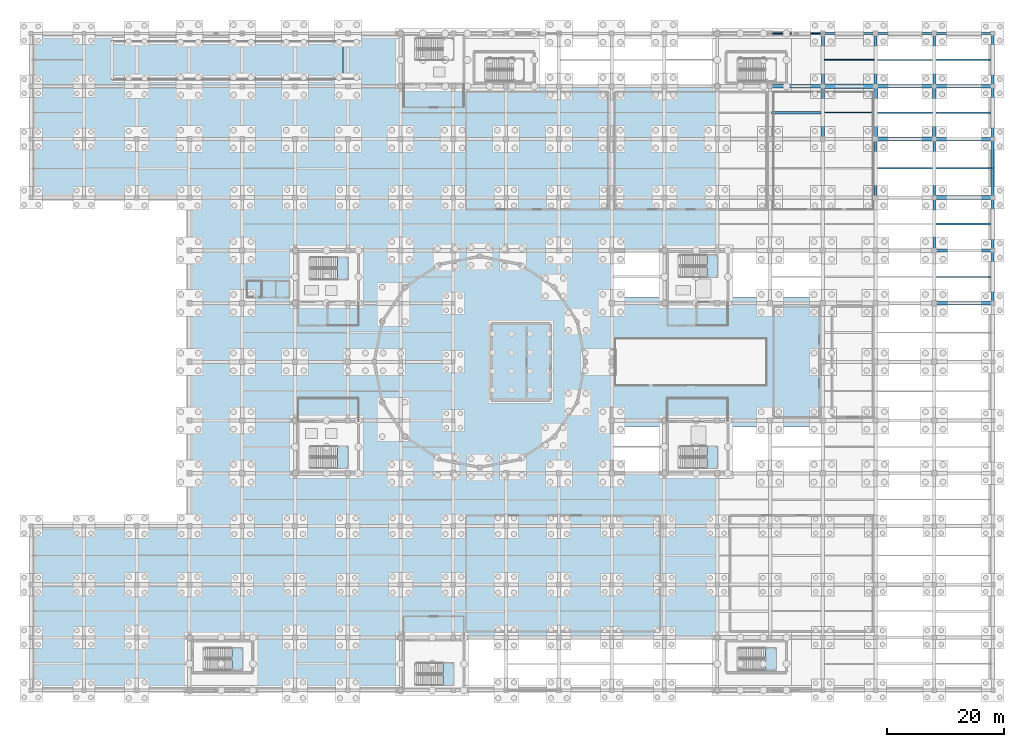
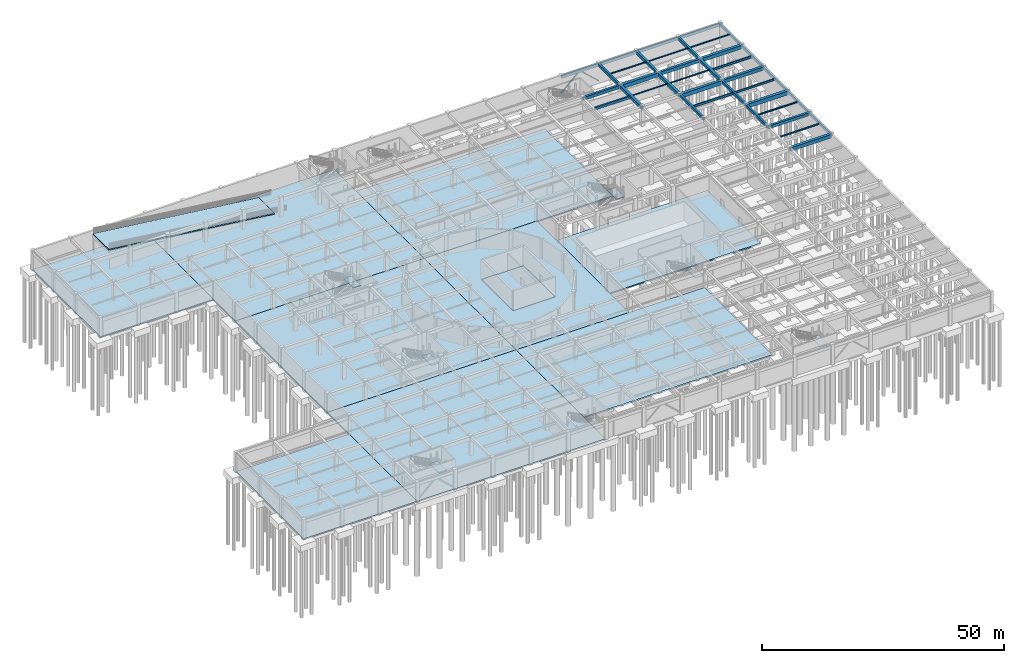
# One storey, part 34 of 62: 38 beams, 18 slabs, 2 members, 7 elements without a shape of their own.
"""IFC4 building model written with IfcOpenShell, lengths in metres."""

from ifc_helpers import new_model, si_unit, direction, frame, origin, origin_2d, place, context, subcontext, project, spatial, polyline, rectangle, hollow_rectangle, i_section, outline, extrude, material, layer, layer_set, material_profile, profile_set, type_object, element, aggregate, save


model = new_model("IFC4")

# Units and contexts
model_context = context("Model", 3, precision=1e-05, world=origin(), true_north=direction((0.0, 1.0)))
body_context = subcontext(model_context, "Body", "Model", "MODEL_VIEW")
ifc_project = project(units=[si_unit("LENGTHUNIT", "METRE"), si_unit("AREAUNIT", "SQUARE_METRE"), si_unit("VOLUMEUNIT", "CUBIC_METRE"), si_unit("PLANEANGLEUNIT", "RADIAN"), si_unit("MASSUNIT", "GRAM", prefix="KILO")], contexts=[model_context])

# Site, building, storey
site_placement = place(None, origin())
site = spatial("IfcSite", under=ifc_project, at=site_placement, CompositionType="ELEMENT")
building_placement = place(site_placement, origin())
building = spatial("IfcBuilding", under=site, at=building_placement, Name="Miravela Opera House", CompositionType="ELEMENT")
storey_placement = place(building_placement, frame((0.0, 0.0, -5.10009765625)))
storey = spatial("IfcBuildingStorey", under=building, at=storey_placement, Name="B01", CompositionType="ELEMENT", Elevation=-5.10009765625)

# Beams
ifc_material_1 = material(Name="Concrete C35/45", Category="concrete")
ifc_material_profile_1 = material_profile(ifc_material_1, rectangle(XDim=0.39990234375, YDim=0.60009765625, at=origin_2d()), Name="RC-BM-400X600")
ifc_profile_set_1 = profile_set([ifc_material_profile_1])
beam_type_1 = type_object("IfcBeamType", Name="STR-BM-RC400X600", PredefinedType="JOIST", material=ifc_profile_set_1)
beam_1_placement = place(storey_placement, frame((126.235107421875, 98.5, 4.530029296875), z_axis=(1.0, 0.0, 0.0), x_axis=(0.0, 1.0, 0.0)))
element("IfcBeam", 1, at=beam_1_placement, inside=storey, type_object=beam_type_1, Name="Secondary Floor Joist B01 15-16/K-L", PredefinedType="JOIST", context=body_context, shape_type="SweptSolid", body=[
    extrude(rectangle(XDim=0.39990234375, YDim=0.60009765625, at=origin_2d()), origin(), (0.0, 0.0, 1.0), 8.47998046875),
])
ifc_material_profile_2 = material_profile(ifc_material_1, rectangle(XDim=0.449951171875, YDim=0.64990234375, at=origin_2d()), Name="RC-BM-450X650")
ifc_profile_set_2 = profile_set([ifc_material_profile_2])
beam_type_2 = type_object("IfcBeamType", Name="STR-BM-RC450X650", PredefinedType="BEAM", material=ifc_profile_set_2)
for number, where, z_axis, x_axis, name in (
    (2, (144.0, 84.080078125, 4.4951171875), (0.0, 1.0, 0.0), (-1.0, 0.0, 0.0), "Floor Girder B01 17/J-K"),
    (3, (154.0, 84.080078125, 4.4951171875), (0.0, 1.0, 0.0), (-1.0, 0.0, 0.0), "Floor Girder B01 18/J-K"),
):
    element("IfcBeam", number, at=place(storey_placement, frame(where, z_axis=z_axis, x_axis=x_axis)), inside=storey, type_object=beam_type_2, Name=name, PredefinedType="BEAM", context=body_context, shape_type="SweptSolid", body=[
        extrude(rectangle(XDim=0.449951171875, YDim=0.64990234375, at=origin_2d()), origin(), (0.0, 0.0, 1.0), 9.83984375),
    ])
ifc_material_profile_3 = material_profile(ifc_material_1, rectangle(XDim=0.47998046875, YDim=0.679931640625, at=origin_2d()), Name="RC-BM-480X680")
ifc_profile_set_3 = profile_set([ifc_material_profile_3])
beam_type_3 = type_object("IfcBeamType", Name="STR-BM-RC480X680", PredefinedType="BEAM", material=ifc_profile_set_3)
beam_2_placement = place(storey_placement, frame((154.0, 75.080078125, 4.47998046875), z_axis=(0.0, 1.0, 0.0), x_axis=(-1.0, 0.0, 0.0)))
element("IfcBeam", 4, at=beam_2_placement, inside=storey, type_object=beam_type_3, Name="Floor Girder B01 18/I-J", PredefinedType="BEAM", context=body_context, shape_type="SweptSolid", body=[
    extrude(rectangle(XDim=0.47998046875, YDim=0.679931640625, at=origin_2d()), origin(), (0.0, 0.0, 1.0), 8.83984375),
])
ifc_material_profile_4 = material_profile(ifc_material_1, rectangle(XDim=0.5, YDim=0.699951171875, at=origin_2d()), Name="RC-BM-500X700")
ifc_profile_set_4 = profile_set([ifc_material_profile_4])
beam_type_4 = type_object("IfcBeamType", Name="STR-BM-RC500X700", PredefinedType="BEAM", material=ifc_profile_set_4)
for number, where, z_axis, x_axis, name in (
    (5, (135.0, 103.080078125, 4.47021484375), (0.0, 1.0, 0.0), (-1.0, 0.0, 0.0), "Floor Girder B01 16/L-M"),
    (6, (144.0, 103.080078125, 4.47021484375), (0.0, 1.0, 0.0), (-1.0, 0.0, 0.0), "Floor Girder B01 17/L-M"),
    (7, (154.0, 103.080078125, 4.47021484375), (0.0, 1.0, 0.0), (-1.0, 0.0, 0.0), "Floor Girder B01 18/L-M"),
):
    element("IfcBeam", number, at=place(storey_placement, frame(where, z_axis=z_axis, x_axis=x_axis)), inside=storey, type_object=beam_type_4, Name=name, PredefinedType="BEAM", context=body_context, shape_type="SweptSolid", body=[
        extrude(rectangle(XDim=0.5, YDim=0.699951171875, at=origin_2d()), origin(), (0.0, 0.0, 1.0), 8.83984375),
    ])
ifc_material_profile_5 = material_profile(ifc_material_1, rectangle(XDim=0.550048828125, YDim=0.75, at=origin_2d()), Name="RC-BM-550X750")
ifc_profile_set_5 = profile_set([ifc_material_profile_5])
beam_type_5 = type_object("IfcBeamType", Name="STR-BM-RC550X750", PredefinedType="BEAM", material=ifc_profile_set_5)
beam_3_placement = place(storey_placement, frame((126.080078125, 103.0, 4.445068359375), z_axis=(1.0, 0.0, 0.0), x_axis=(0.0, 1.0, 0.0)))
element("IfcBeam", 8, at=beam_3_placement, inside=storey, type_object=beam_type_5, Name="Floor Girder B01 15-16/L", PredefinedType="BEAM", context=body_context, shape_type="SweptSolid", body=[
    extrude(rectangle(XDim=0.550048828125, YDim=0.75, at=origin_2d()), origin(), (0.0, 0.0, 1.0), 8.83984375),
])
beam_4_placement = place(storey_placement, frame((154.080078125, 75.0, 4.405029296875), z_axis=(1.0, 0.0, 0.0), x_axis=(0.0, 1.0, 0.0)))
element("IfcBeam", 9, at=beam_4_placement, inside=storey, type_object=beam_type_5, Name="Floor Girder B01 18-19/I", PredefinedType="BEAM", context=body_context, shape_type="SweptSolid", body=[
    extrude(rectangle(XDim=0.550048828125, YDim=0.75, at=origin_2d()), origin(), (0.0, 0.0, 1.0), 9.83984375),
])
ifc_material_2 = material(Name="Concrete C40/50", Category="concrete")
ifc_material_profile_6 = material_profile(ifc_material_2, rectangle(XDim=0.60009765625, YDim=0.85009765625, at=origin_2d()), Name="RC-BM-600X850")
ifc_profile_set_6 = profile_set([ifc_material_profile_6])
beam_type_6 = type_object("IfcBeamType", Name="STR-BM-RC600X850", PredefinedType="BEAM", material=ifc_profile_set_6)
for number, where, z_axis, x_axis, name in (
    (10, (144.080078125, 103.0, 4.39501953125), (1.0, 0.0, 0.0), (0.0, 1.0, 0.0), "Floor Girder B01 17-18/L"),
    (11, (154.080078125, 94.0, 4.39501953125), (1.0, 0.0, 0.0), (0.0, 1.0, 0.0), "Floor Girder B01 18-19/K"),
):
    element("IfcBeam", number, at=place(storey_placement, frame(where, z_axis=z_axis, x_axis=x_axis)), inside=storey, type_object=beam_type_6, Name=name, PredefinedType="BEAM", context=body_context, shape_type="SweptSolid", body=[
        extrude(rectangle(XDim=0.60009765625, YDim=0.85009765625, at=origin_2d()), origin(), (0.0, 0.0, 1.0), 9.83984375),
    ])
for number, where, z_axis, x_axis, name in (
    (12, (135.0, 94.080078125, 4.405029296875), (0.0, 1.0, 0.0), (-1.0, 0.0, 0.0), "Floor Girder B01 16/K-L"),
    (13, (144.0, 94.080078125, 4.39501953125), (0.0, 1.0, 0.0), (-1.0, 0.0, 0.0), "Floor Girder B01 17/K-L"),
    (14, (154.0, 94.080078125, 4.39501953125), (0.0, 1.0, 0.0), (-1.0, 0.0, 0.0), "Floor Girder B01 18/K-L"),
):
    element("IfcBeam", number, at=place(storey_placement, frame(where, z_axis=z_axis, x_axis=x_axis)), inside=storey, type_object=beam_type_6, Name=name, PredefinedType="BEAM", context=body_context, shape_type="SweptSolid", body=[
        extrude(rectangle(XDim=0.60009765625, YDim=0.85009765625, at=origin_2d()), origin(), (0.0, 0.0, 1.0), 8.83984375),
    ])
ifc_material_profile_7 = material_profile(ifc_material_2, rectangle(XDim=0.64990234375, YDim=0.89990234375, at=origin_2d()), Name="RC-BM-650X900")
ifc_profile_set_7 = profile_set([ifc_material_profile_7])
beam_type_7 = type_object("IfcBeamType", Name="STR-BM-RC650X900", PredefinedType="BEAM", material=ifc_profile_set_7)
for number, where, z_axis, x_axis, name in (
    (15, (154.080078125, 66.0, 4.330078125), (1.0, 0.0, 0.0), (0.0, 1.0, 0.0), "Floor Girder B01 18-19/H"),
    (16, (154.080078125, 103.0, 4.3701171875), (1.0, 0.0, 0.0), (0.0, 1.0, 0.0), "Floor Girder B01 18-19/L"),
):
    element("IfcBeam", number, at=place(storey_placement, frame(where, z_axis=z_axis, x_axis=x_axis)), inside=storey, type_object=beam_type_7, Name=name, PredefinedType="BEAM", context=body_context, shape_type="SweptSolid", body=[
        extrude(rectangle(XDim=0.64990234375, YDim=0.89990234375, at=origin_2d()), origin(), (0.0, 0.0, 1.0), 9.83984375),
    ])
ifc_material_profile_8 = material_profile(ifc_material_2, rectangle(XDim=0.699951171875, YDim=1.0, at=origin_2d()), Name="RC-BM-700X1000")
ifc_profile_set_8 = profile_set([ifc_material_profile_8])
beam_type_8 = type_object("IfcBeamType", Name="STR-BM-RC700X1000", PredefinedType="BEAM", material=ifc_profile_set_8)
beam_5_placement = place(storey_placement, frame((135.080078125, 103.0, 4.320068359375), z_axis=(1.0, 0.0, 0.0), x_axis=(0.0, 1.0, 0.0)))
element("IfcBeam", 17, at=beam_5_placement, inside=storey, type_object=beam_type_8, Name="Floor Girder B01 16-17/L", PredefinedType="BEAM", context=body_context, shape_type="SweptSolid", body=[
    extrude(rectangle(XDim=0.699951171875, YDim=1.0, at=origin_2d()), origin(), (0.0, 0.0, 1.0), 8.83984375),
])
for number, where, z_axis, x_axis, name in (
    (18, (144.080078125, 94.0, 4.320068359375), (1.0, 0.0, 0.0), (0.0, 1.0, 0.0), "Floor Girder B01 17-18/K"),
    (19, (154.080078125, 84.0, 4.320068359375), (1.0, 0.0, 0.0), (0.0, 1.0, 0.0), "Floor Girder B01 18-19/J"),
):
    element("IfcBeam", number, at=place(storey_placement, frame(where, z_axis=z_axis, x_axis=x_axis)), inside=storey, type_object=beam_type_8, Name=name, PredefinedType="BEAM", context=body_context, shape_type="SweptSolid", body=[
        extrude(rectangle(XDim=0.699951171875, YDim=1.0, at=origin_2d()), origin(), (0.0, 0.0, 1.0), 9.83984375),
    ])
ifc_material_3 = material(Name="Structural steel ASTM A992 Gr. 50", Category="steel")
ifc_material_profile_9 = material_profile(ifc_material_3, i_section(OverallWidth=0.1650390625, OverallDepth=0.200927734375, WebThickness=0.006103515625, FlangeThickness=0.01025390625, FilletRadius=0.010009765625, at=origin_2d()), Name="W200X36")
ifc_profile_set_9 = profile_set([ifc_material_profile_9])
beam_type_9 = type_object("IfcBeamType", Name="STR-BM-W200X36", PredefinedType="LINTEL", material=ifc_profile_set_9)
beam_6_placement = place(storey_placement, frame((135.235107421875, 107.5, 4.719482421875), z_axis=(1.0, 0.0, 0.0), x_axis=(0.0, 1.0, 0.0)))
element("IfcBeam", 20, at=beam_6_placement, inside=storey, type_object=beam_type_9, Name="Secondary Floor Joist B01 16-17/L-M", PredefinedType="LINTEL", context=body_context, shape_type="SweptSolid", body=[
    extrude(i_section(OverallWidth=0.1650390625, OverallDepth=0.200927734375, WebThickness=0.006103515625, FlangeThickness=0.01025390625, FilletRadius=0.010009765625, at=origin_2d()), origin(), (0.0, 0.0, 1.0), 8.52978515625),
])
ifc_material_profile_10 = material_profile(ifc_material_3, i_section(OverallWidth=0.201904296875, OverallDepth=0.2470703125, WebThickness=0.00732421875, FlangeThickness=0.010986328125, FilletRadius=0.011962890625, at=origin_2d()), Name="W250X49")
ifc_profile_set_10 = profile_set([ifc_material_profile_10])
beam_type_10 = type_object("IfcBeamType", Name="STR-BM-W250X49", PredefinedType="LINTEL", material=ifc_profile_set_10)
beam_7_placement = place(storey_placement, frame((135.284912109375, 98.5, 4.70654296875), z_axis=(1.0, 0.0, 0.0), x_axis=(0.0, 1.0, 0.0)))
element("IfcBeam", 21, at=beam_7_placement, inside=storey, type_object=beam_type_10, Name="Secondary Floor Joist B01 16-17/K-L", PredefinedType="LINTEL", context=body_context, shape_type="SweptSolid", body=[
    extrude(i_section(OverallWidth=0.201904296875, OverallDepth=0.2470703125, WebThickness=0.00732421875, FlangeThickness=0.010986328125, FilletRadius=0.011962890625, at=origin_2d()), origin(), (0.0, 0.0, 1.0), 8.43017578125),
])
beam_8_placement = place(storey_placement, frame((144.235107421875, 107.5, 4.696533203125), z_axis=(1.0, 0.0, 0.0), x_axis=(0.0, 1.0, 0.0)))
element("IfcBeam", 22, at=beam_8_placement, inside=storey, type_object=beam_type_10, Name="Secondary Floor Joist B01 17-18/L-M", PredefinedType="LINTEL", context=body_context, shape_type="SweptSolid", body=[
    extrude(i_section(OverallWidth=0.201904296875, OverallDepth=0.2470703125, WebThickness=0.00732421875, FlangeThickness=0.010986328125, FilletRadius=0.011962890625, at=origin_2d()), origin(), (0.0, 0.0, 1.0), 9.52978515625),
])
ifc_material_profile_11 = material_profile(ifc_material_3, i_section(OverallWidth=0.25390625, OverallDepth=0.2529296875, WebThickness=0.008544921875, FlangeThickness=0.01416015625, FilletRadius=0.011962890625, at=origin_2d()), Name="W250X73")
ifc_profile_set_11 = profile_set([ifc_material_profile_11])
beam_type_11 = type_object("IfcBeamType", Name="STR-BM-W250X73", PredefinedType="JOIST", material=ifc_profile_set_11)
beam_9_placement = place(storey_placement, frame((144.284912109375, 98.5, 4.693603515625), z_axis=(1.0, 0.0, 0.0), x_axis=(0.0, 1.0, 0.0)))
element("IfcBeam", 23, at=beam_9_placement, inside=storey, type_object=beam_type_11, Name="Secondary Floor Joist B01 17-18/K-L", PredefinedType="JOIST", context=body_context, shape_type="SweptSolid", body=[
    extrude(i_section(OverallWidth=0.25390625, OverallDepth=0.2529296875, WebThickness=0.008544921875, FlangeThickness=0.01416015625, FilletRadius=0.011962890625, at=origin_2d()), origin(), (0.0, 0.0, 1.0), 9.43017578125),
])
beam_10_placement = place(storey_placement, frame((154.235107421875, 107.5, 4.693603515625), z_axis=(1.0, 0.0, 0.0), x_axis=(0.0, 1.0, 0.0)))
element("IfcBeam", 24, at=beam_10_placement, inside=storey, type_object=beam_type_11, Name="Secondary Floor Joist B01 18-19/L-M", PredefinedType="JOIST", context=body_context, shape_type="SweptSolid", body=[
    extrude(i_section(OverallWidth=0.25390625, OverallDepth=0.2529296875, WebThickness=0.008544921875, FlangeThickness=0.01416015625, FilletRadius=0.011962890625, at=origin_2d()), origin(), (0.0, 0.0, 1.0), 9.579833984375),
])
ifc_material_profile_12 = material_profile(ifc_material_3, i_section(OverallWidth=0.304931640625, OverallDepth=0.30810546875, WebThickness=0.010009765625, FlangeThickness=0.015380859375, FilletRadius=0.013916015625, at=origin_2d()), Name="W310X97")
ifc_profile_set_12 = profile_set([ifc_material_profile_12])
beam_type_12 = type_object("IfcBeamType", Name="STR-BM-W310X97", PredefinedType="JOIST", material=ifc_profile_set_12)
beam_11_placement = place(storey_placement, frame((154.22509765625, 79.5, 4.666015625), z_axis=(1.0, 0.0, 0.0), x_axis=(0.0, 1.0, 0.0)))
element("IfcBeam", 25, at=beam_11_placement, inside=storey, type_object=beam_type_12, Name="Secondary Floor Joist B01 18-19/I-J", PredefinedType="JOIST", context=body_context, shape_type="SweptSolid", body=[
    extrude(i_section(OverallWidth=0.304931640625, OverallDepth=0.30810546875, WebThickness=0.010009765625, FlangeThickness=0.015380859375, FilletRadius=0.013916015625, at=origin_2d()), origin(), (0.0, 0.0, 1.0), 9.58984375),
])
ifc_material_profile_13 = material_profile(ifc_material_3, i_section(OverallWidth=0.177978515625, OverallDepth=0.406982421875, WebThickness=0.0078125, FlangeThickness=0.0126953125, FilletRadius=0.012939453125, at=origin_2d()), Name="W410X60")
ifc_profile_set_13 = profile_set([ifc_material_profile_13])
beam_type_13 = type_object("IfcBeamType", Name="STR-BM-W410X60", PredefinedType="JOIST", material=ifc_profile_set_13)
beam_12_placement = place(storey_placement, frame((154.235107421875, 70.5, 4.57666015625), z_axis=(1.0, 0.0, 0.0), x_axis=(0.0, 1.0, 0.0)))
element("IfcBeam", 26, at=beam_12_placement, inside=storey, type_object=beam_type_13, Name="Secondary Floor Joist B01 18-19/H-I", PredefinedType="JOIST", context=body_context, shape_type="SweptSolid", body=[
    extrude(i_section(OverallWidth=0.177978515625, OverallDepth=0.406982421875, WebThickness=0.0078125, FlangeThickness=0.0126953125, FilletRadius=0.012939453125, at=origin_2d()), origin(), (0.0, 0.0, 1.0), 9.579833984375),
])
ifc_material_profile_14 = material_profile(ifc_material_3, i_section(OverallWidth=0.208984375, OverallDepth=0.532958984375, WebThickness=0.01025390625, FlangeThickness=0.015625, FilletRadius=0.014892578125, at=origin_2d()), Name="W530X92")
ifc_profile_set_14 = profile_set([ifc_material_profile_14])
beam_type_14 = type_object("IfcBeamType", Name="STR-BM-W530X92", PredefinedType="BEAM", material=ifc_profile_set_14)
beam_13_placement = place(storey_placement, frame((154.2099609375, 89.0, 4.5537109375), z_axis=(1.0, 0.0, 0.0), x_axis=(0.0, 1.0, 0.0)))
element("IfcBeam", 27, at=beam_13_placement, inside=storey, type_object=beam_type_14, Name="Secondary Floor Joist B01 18-19/J-K", PredefinedType="BEAM", context=body_context, shape_type="SweptSolid", body=[
    extrude(i_section(OverallWidth=0.208984375, OverallDepth=0.532958984375, WebThickness=0.01025390625, FlangeThickness=0.015625, FilletRadius=0.014892578125, at=origin_2d()), origin(), (0.0, 0.0, 1.0), 9.60498046875),
])
ifc_material_profile_15 = material_profile(ifc_material_3, i_section(OverallWidth=0.22802734375, OverallDepth=0.60791015625, WebThickness=0.01123046875, FlangeThickness=0.017333984375, FilletRadius=0.01611328125, at=origin_2d()), Name="W610X113")
ifc_profile_set_15 = profile_set([ifc_material_profile_15])
beam_type_15 = type_object("IfcBeamType", Name="STR-BM-W610X113", PredefinedType="BEAM", material=ifc_profile_set_15)
beam_14_placement = place(storey_placement, frame((144.2099609375, 89.0, 4.51611328125), z_axis=(1.0, 0.0, 0.0), x_axis=(0.0, 1.0, 0.0)))
element("IfcBeam", 28, at=beam_14_placement, inside=storey, type_object=beam_type_15, Name="Secondary Floor Joist B01 17-18/J-K", PredefinedType="BEAM", context=body_context, shape_type="SweptSolid", body=[
    extrude(i_section(OverallWidth=0.22802734375, OverallDepth=0.60791015625, WebThickness=0.01123046875, FlangeThickness=0.017333984375, FilletRadius=0.01611328125, at=origin_2d()), origin(), (0.0, 0.0, 1.0), 9.580078125),
])
beam_15_placement = place(storey_placement, frame((154.284912109375, 98.5, 4.51611328125), z_axis=(1.0, 0.0, 0.0), x_axis=(0.0, 1.0, 0.0)))
element("IfcBeam", 29, at=beam_15_placement, inside=storey, type_object=beam_type_15, Name="Secondary Floor Joist B01 18-19/K-L", PredefinedType="BEAM", context=body_context, shape_type="SweptSolid", body=[
    extrude(i_section(OverallWidth=0.22802734375, OverallDepth=0.60791015625, WebThickness=0.01123046875, FlangeThickness=0.017333984375, FilletRadius=0.01611328125, at=origin_2d()), origin(), (0.0, 0.0, 1.0), 9.530029296875),
])

# Members
ifc_material_4 = material(Name="Hollow structural steel ASTM A500 Gr. C", Category="steel")
ifc_material_profile_16 = material_profile(ifc_material_4, hollow_rectangle(XDim=0.25, YDim=0.25, WallThickness=0.011962890625, InnerFilletRadius=0.011962890625, OuterFilletRadius=0.02392578125, at=origin_2d()), Name="HSS250X250X12")
ifc_profile_set_16 = profile_set([ifc_material_profile_16])
member_type = type_object("IfcMemberType", Name="STR-MEM-FRAME-BR1", PredefinedType="BRACE", material=ifc_profile_set_16)
for number, where, z_axis, x_axis, name in (
    (30, (126.0, 112.0, 0.300048828125), (0.736735892782, 0.0, 0.676180615137), (0.0, 1.0, 0.0), "Concentric Braced Frame BF-N3 B01 Left Brace"),
    (31, (135.0, 112.0, 0.300048828125), (-0.736735892782, 0.0, 0.676180615137), (0.0, -1.0, 0.0), "Concentric Braced Frame BF-N3 B01 Right Brace"),
):
    element("IfcMember", number, at=place(storey_placement, frame(where, z_axis=z_axis, x_axis=x_axis)), inside=storey, type_object=member_type, Name=name, PredefinedType="BRACE", context=body_context, shape_type="SweptSolid", body=[
        extrude(hollow_rectangle(XDim=0.25, YDim=0.25, WallThickness=0.011962890625, InnerFilletRadius=0.011962890625, OuterFilletRadius=0.02392578125, at=origin_2d()), origin(), (0.0, 0.0, 1.0), 6.10791015625),
    ])

# Beams
ifc_material_profile_17 = material_profile(ifc_material_1, rectangle(XDim=0.39990234375, YDim=0.75, at=origin_2d()), Name="RC-SPN-400X750")
ifc_profile_set_17 = profile_set([ifc_material_profile_17])
beam_type_16 = type_object("IfcBeamType", Name="STR-SPN-RC400X750", PredefinedType="SPANDREL", material=ifc_profile_set_17)
for number, where, z_axis, x_axis, name in (
    (32, (126.080078125, 112.0, 4.445068359375), (1.0, 0.0, 0.0), (0.0, 1.0, 0.0), "Floor Girder B01 15-16/M"),
    (33, (135.080078125, 112.0, 4.445068359375), (1.0, 0.0, 0.0), (0.0, 1.0, 0.0), "Floor Girder B01 16-17/M"),
):
    element("IfcBeam", number, at=place(storey_placement, frame(where, z_axis=z_axis, x_axis=x_axis)), inside=storey, type_object=beam_type_16, Name=name, PredefinedType="SPANDREL", context=body_context, shape_type="SweptSolid", body=[
        extrude(rectangle(XDim=0.39990234375, YDim=0.75, at=origin_2d()), origin(), (0.0, 0.0, 1.0), 8.83984375),
    ])
for number, where, z_axis, x_axis, name in (
    (34, (144.080078125, 112.0, 4.445068359375), (1.0, 0.0, 0.0), (0.0, 1.0, 0.0), "Floor Girder B01 17-18/M"),
    (35, (154.080078125, 112.0, 4.445068359375), (1.0, 0.0, 0.0), (0.0, 1.0, 0.0), "Floor Girder B01 18-19/M"),
):
    element("IfcBeam", number, at=place(storey_placement, frame(where, z_axis=z_axis, x_axis=x_axis)), inside=storey, type_object=beam_type_16, Name=name, PredefinedType="SPANDREL", context=body_context, shape_type="SweptSolid", body=[
        extrude(rectangle(XDim=0.39990234375, YDim=0.75, at=origin_2d()), origin(), (0.0, 0.0, 1.0), 9.83984375),
    ])
for number, where, z_axis, x_axis, name in (
    (36, (164.0, 66.080078125, 4.405029296875), (0.0, 1.0, 0.0), (-1.0, 0.0, 0.0), "Floor Girder B01 19/H-I"),
    (37, (164.0, 75.080078125, 4.445068359375), (0.0, 1.0, 0.0), (-1.0, 0.0, 0.0), "Floor Girder B01 19/I-J"),
):
    element("IfcBeam", number, at=place(storey_placement, frame(where, z_axis=z_axis, x_axis=x_axis)), inside=storey, type_object=beam_type_16, Name=name, PredefinedType="SPANDREL", context=body_context, shape_type="SweptSolid", body=[
        extrude(rectangle(XDim=0.39990234375, YDim=0.75, at=origin_2d()), origin(), (0.0, 0.0, 1.0), 8.83984375),
    ])
beam_16_placement = place(storey_placement, frame((164.0, 84.080078125, 4.445068359375), z_axis=(0.0, 1.0, 0.0), x_axis=(-1.0, 0.0, 0.0)))
element("IfcBeam", 38, at=beam_16_placement, inside=storey, type_object=beam_type_16, Name="Floor Girder B01 19/J-K", PredefinedType="SPANDREL", context=body_context, shape_type="SweptSolid", body=[
    extrude(rectangle(XDim=0.39990234375, YDim=0.75, at=origin_2d()), origin(), (0.0, 0.0, 1.0), 9.83984375),
])
for number, where, z_axis, x_axis, name in (
    (39, (164.0, 94.080078125, 4.445068359375), (0.0, 1.0, 0.0), (-1.0, 0.0, 0.0), "Floor Girder B01 19/K-L"),
    (40, (164.0, 103.080078125, 4.445068359375), (0.0, 1.0, 0.0), (-1.0, 0.0, 0.0), "Floor Girder B01 19/L-M"),
):
    element("IfcBeam", number, at=place(storey_placement, frame(where, z_axis=z_axis, x_axis=x_axis)), inside=storey, type_object=beam_type_16, Name=name, PredefinedType="SPANDREL", context=body_context, shape_type="SweptSolid", body=[
        extrude(rectangle(XDim=0.39990234375, YDim=0.75, at=origin_2d()), origin(), (0.0, 0.0, 1.0), 8.83984375),
    ])

# Stair, slab
stair_type_1 = type_object("IfcStairType", Name="ARC-STAIR-CORE-1680", PredefinedType="HALF_TURN_STAIR", material=ifc_material_1)
stair_1_placement = place(storey_placement, origin())
stair_1 = element("IfcStair", 41, at=stair_1_placement, inside=storey, type_object=stair_type_1, Name="B01 Core K1 North Foyer and Firefighting Core Exit Stair ST-01", PredefinedType="HALF_TURN_STAIR")
ifc_layer_1 = layer(ifc_material_1, 0.199951171875)
ifc_layer_set_1 = layer_set([ifc_layer_1])
slab_type_1 = type_object("IfcSlabType", Name="ARC-LANDING-200", PredefinedType="LANDING", material=ifc_layer_set_1)
slab_1_placement = place(storey_placement, frame((0.0, 0.0, 2.35009765625)))
slab_1 = element("IfcSlab", 42, at=slab_1_placement, type_object=slab_type_1, Name="ST-01 landing 1", PredefinedType="LANDING", context=body_context, shape_type="SweptSolid", body=[
    extrude(outline(polyline([(52.219970703125, 70.0), (54.10009765625, 70.0), (54.10009765625, 73.8798828125), (52.219970703125, 73.8798828125), (52.219970703125, 70.0)])), origin(), (0.0, 0.0, 1.0), 0.199951171875),
])
aggregate(stair_1, [slab_1])

stair_2_placement = place(storey_placement, origin())
stair_2 = element("IfcStair", 43, at=stair_2_placement, inside=storey, type_object=stair_type_1, Name="B01 Core K2 South Foyer Core Exit Stair ST-02", PredefinedType="HALF_TURN_STAIR")
slab_2_placement = place(storey_placement, frame((0.0, 0.0, 2.35009765625)))
slab_2 = element("IfcSlab", 44, at=slab_2_placement, type_object=slab_type_1, Name="ST-02 landing 1", PredefinedType="LANDING", context=body_context, shape_type="SweptSolid", body=[
    extrude(outline(polyline([(52.219970703125, 37.800048828125), (54.10009765625, 37.800048828125), (54.10009765625, 41.679931640625), (52.219970703125, 41.679931640625), (52.219970703125, 37.800048828125)])), origin(), (0.0, 0.0, 1.0), 0.199951171875),
])
aggregate(stair_2, [slab_2])

stair_3_placement = place(storey_placement, origin())
stair_3 = element("IfcStair", 45, at=stair_3_placement, inside=storey, type_object=stair_type_1, Name="B01 Core K3 North Stage and Firefighting Core Exit Stair ST-03", PredefinedType="HALF_TURN_STAIR")
slab_3_placement = place(storey_placement, frame((0.0, 0.0, 2.35009765625)))
slab_3 = element("IfcSlab", 46, at=slab_3_placement, type_object=slab_type_1, Name="ST-03 landing 1", PredefinedType="LANDING", context=body_context, shape_type="SweptSolid", body=[
    extrude(outline(polyline([(115.219970703125, 70.39990234375), (117.10009765625, 70.39990234375), (117.10009765625, 74.280029296875), (115.219970703125, 74.280029296875), (115.219970703125, 70.39990234375)])), origin(), (0.0, 0.0, 1.0), 0.199951171875),
])
aggregate(stair_3, [slab_3])

stair_4_placement = place(storey_placement, origin())
stair_4 = element("IfcStair", 47, at=stair_4_placement, inside=storey, type_object=stair_type_1, Name="B01 Core K4 South Stage Core Exit Stair ST-04", PredefinedType="HALF_TURN_STAIR")
slab_4_placement = place(storey_placement, frame((0.0, 0.0, 2.35009765625)))
slab_4 = element("IfcSlab", 48, at=slab_4_placement, type_object=slab_type_1, Name="ST-04 landing 1", PredefinedType="LANDING", context=body_context, shape_type="SweptSolid", body=[
    extrude(outline(polyline([(115.219970703125, 37.800048828125), (117.10009765625, 37.800048828125), (117.10009765625, 41.679931640625), (115.219970703125, 41.679931640625), (115.219970703125, 37.800048828125)])), origin(), (0.0, 0.0, 1.0), 0.199951171875),
])
aggregate(stair_4, [slab_4])

stair_5_placement = place(storey_placement, origin())
stair_5 = element("IfcStair", 49, at=stair_5_placement, inside=storey, type_object=stair_type_1, Name="B01 Core K6 South Artist Core Exit Stair ST-06", PredefinedType="HALF_TURN_STAIR")
slab_5_placement = place(storey_placement, frame((0.0, 0.0, 2.35009765625)))
slab_5 = element("IfcSlab", 50, at=slab_5_placement, type_object=slab_type_1, Name="ST-06 landing 1", PredefinedType="LANDING", context=body_context, shape_type="SweptSolid", body=[
    extrude(outline(polyline([(70.219970703125, 0.800048828125), (72.10009765625, 0.800048828125), (72.10009765625, 4.679931640625), (70.219970703125, 4.679931640625), (70.219970703125, 0.800048828125)])), origin(), (0.0, 0.0, 1.0), 0.199951171875),
])
aggregate(stair_5, [slab_5])

stair_type_2 = type_object("IfcStairType", Name="ARC-STAIR-WING-1680", PredefinedType="HALF_TURN_STAIR", material=ifc_material_1)
stair_6_placement = place(storey_placement, origin())
stair_6 = element("IfcStair", 51, at=stair_6_placement, inside=storey, type_object=stair_type_2, Name="B01 South Wing West Exit Stair ST-08", PredefinedType="HALF_TURN_STAIR")
ifc_layer_2 = layer(ifc_material_1, 0.215087890625)
ifc_layer_set_2 = layer_set([ifc_layer_2])
slab_type_2 = type_object("IfcSlabType", Name="ARC-LANDING-215", PredefinedType="LANDING", material=ifc_layer_set_2)
slab_6_placement = place(storey_placement, frame((0.0, 0.0, 2.335205078125)))
slab_6 = element("IfcSlab", 52, at=slab_6_placement, type_object=slab_type_2, Name="ST-08 landing 1", PredefinedType="LANDING", context=body_context, shape_type="SweptSolid", body=[
    extrude(outline(polyline([(34.219970703125, 3.39990234375), (36.10009765625, 3.39990234375), (36.10009765625, 7.280029296875), (34.219970703125, 7.280029296875), (34.219970703125, 3.39990234375)])), origin(), (0.0, 0.0, 1.0), 0.21484375),
])
aggregate(stair_6, [slab_6])

stair_7_placement = place(storey_placement, origin())
stair_7 = element("IfcStair", 53, at=stair_7_placement, inside=storey, type_object=stair_type_2, Name="B01 East Workshop Wing Exit Stair ST-10", PredefinedType="HALF_TURN_STAIR")
slab_7_placement = place(storey_placement, frame((0.0, 0.0, 2.335205078125)))
slab_7 = element("IfcSlab", 54, at=slab_7_placement, type_object=slab_type_2, Name="ST-10 landing 1", PredefinedType="LANDING", context=body_context, shape_type="SweptSolid", body=[
    extrude(outline(polyline([(125.219970703125, 3.39990234375), (127.10009765625, 3.39990234375), (127.10009765625, 7.280029296875), (125.219970703125, 7.280029296875), (125.219970703125, 3.39990234375)])), origin(), (0.0, 0.0, 1.0), 0.21484375),
])
aggregate(stair_7, [slab_7])

# Slabs
ifc_layer_3 = layer(ifc_material_1, 0.35009765625)
ifc_layer_set_3 = layer_set([ifc_layer_3])
slab_type_3 = type_object("IfcSlabType", Name="STR-SLAB-BASE-350", PredefinedType="BASESLAB", material=ifc_layer_set_3)
slab_8_placement = place(storey_placement, frame((0.0, 0.0, -0.349853515625)))
element("IfcSlab", 55, at=slab_8_placement, inside=storey, type_object=slab_type_3, Name="Basement Slab SLAB-B01-V5S", PredefinedType="BASESLAB", context=body_context, shape_type="SweptSolid", body=[
    extrude(outline(polyline([(0.0, 0.0), (27.0, 0.0), (27.0, 28.0), (0.0, 28.0), (0.0, 0.0)])), origin(), (0.0, 0.0, 1.0), 0.349853515625),
])
slab_9_placement = place(storey_placement, frame((0.0, 0.0, -0.349853515625)))
element("IfcSlab", 56, at=slab_9_placement, inside=storey, type_object=slab_type_3, Name="Basement Slab SLAB-B01-V5N", PredefinedType="BASESLAB", context=body_context, shape_type="SweptSolid", body=[
    extrude(outline(polyline([(0.0, 84.0), (27.0, 84.0), (27.0, 112.0), (0.0, 112.0), (0.0, 84.0)])), origin(), (0.0, 0.0, 1.0), 0.349853515625),
])
slab_10_placement = place(storey_placement, frame((0.0, 0.0, -0.349853515625)))
element("IfcSlab", 57, at=slab_10_placement, inside=storey, type_object=slab_type_3, Name="Basement Slab SLAB-B01-V4W", PredefinedType="BASESLAB", context=body_context, shape_type="SweptSolid", body=[
    extrude(outline(polyline([(27.0, 0.0), (72.0, 0.0), (72.0, 37.0), (27.0, 37.0), (27.0, 0.0)])), origin(), (0.0, 0.0, 1.0), 0.349853515625),
])
slab_11_placement = place(storey_placement, frame((0.0, 0.0, -0.349853515625)))
element("IfcSlab", 58, at=slab_11_placement, inside=storey, type_object=slab_type_3, Name="Basement Slab SLAB-B01-V4E", PredefinedType="BASESLAB", context=body_context, shape_type="SweptSolid", body=[
    extrude(outline(polyline([(72.0, 9.0), (117.0, 9.0), (117.0, 37.0), (72.0, 37.0), (72.0, 9.0)])), origin(), (0.0, 0.0, 1.0), 0.349853515625),
])
slab_12_placement = place(storey_placement, frame((0.0, 0.0, -0.349853515625)))
element("IfcSlab", 59, at=slab_12_placement, inside=storey, type_object=slab_type_3, Name="Basement Slab SLAB-B01-V3W", PredefinedType="BASESLAB", context=body_context, shape_type="SweptSolid", body=[
    extrude(outline(polyline([(27.0, 75.0), (72.0, 75.0), (72.0, 112.0), (27.0, 112.0), (27.0, 75.0)])), origin(), (0.0, 0.0, 1.0), 0.349853515625),
])
slab_13_placement = place(storey_placement, frame((0.0, 0.0, -0.349853515625)))
element("IfcSlab", 60, at=slab_13_placement, inside=storey, type_object=slab_type_3, Name="Basement Slab SLAB-B01-V3E", PredefinedType="BASESLAB", context=body_context, shape_type="SweptSolid", body=[
    extrude(outline(polyline([(72.0, 75.0), (117.0, 75.0), (117.0, 103.0), (72.0, 103.0), (72.0, 75.0)])), origin(), (0.0, 0.0, 1.0), 0.349853515625),
])
slab_14_placement = place(storey_placement, frame((0.0, 0.0, -0.349853515625)))
element("IfcSlab", 61, at=slab_14_placement, inside=storey, type_object=slab_type_3, Name="Basement Slab SLAB-B01-V1W", PredefinedType="BASESLAB", context=body_context, shape_type="SweptSolid", body=[
    extrude(outline(polyline([(27.0, 37.0), (72.0, 37.0), (72.0, 75.0), (27.0, 75.0), (27.0, 37.0)])), origin(), (0.0, 0.0, 1.0), 0.349853515625),
])
slab_15_placement = place(storey_placement, frame((0.0, 0.0, -0.349853515625)))
element("IfcSlab", 62, at=slab_15_placement, inside=storey, type_object=slab_type_3, Name="Basement Slab SLAB-B01-V1E", PredefinedType="BASESLAB", context=body_context, shape_type="SweptSolid", body=[
    extrude(outline(polyline([(72.0, 37.0), (99.0, 37.0), (99.0, 75.0), (72.0, 75.0), (72.0, 37.0)]), holes=[polyline([(78.5, 49.5), (88.5, 49.5), (88.5, 62.5), (78.5, 62.5), (78.5, 49.5)])]), origin(), (0.0, 0.0, 1.0), 0.349853515625),
])
slab_16_placement = place(storey_placement, frame((0.0, 0.0, -0.349853515625)))
element("IfcSlab", 63, at=slab_16_placement, inside=storey, type_object=slab_type_3, Name="Basement Slab SLAB-B01-V2W", PredefinedType="BASESLAB", context=body_context, shape_type="SweptSolid", body=[
    extrude(outline(polyline([(99.0, 45.0), (135.0, 45.0), (135.0, 67.0), (99.0, 67.0), (99.0, 45.0)])), origin(), (0.0, 0.0, 1.0), 0.349853515625),
])
ifc_layer_4 = layer(ifc_material_2, 0.39990234375)
ifc_layer_set_4 = layer_set([ifc_layer_4])
slab_type_4 = type_object("IfcSlabType", Name="STR-SLAB-PIT-400", PredefinedType="BASESLAB", material=ifc_layer_set_4)
slab_17_placement = place(storey_placement, frame((0.0, 0.0, -0.39990234375)))
element("IfcSlab", 64, at=slab_17_placement, inside=storey, type_object=slab_type_4, Name="Orchestra and Substage Pit Base Slab", PredefinedType="BASESLAB", context=body_context, shape_type="SweptSolid", body=[
    extrude(outline(polyline([(78.5, 49.5), (88.5, 49.5), (88.5, 62.5), (78.5, 62.5), (78.5, 49.5)])), origin(), (0.0, 0.0, 1.0), 0.39990234375),
])
ifc_layer_5 = layer(ifc_material_1, 0.280029296875)
ifc_layer_set_5 = layer_set([ifc_layer_5])
slab_type_5 = type_object("IfcSlabType", Name="STR-SLAB-VRAMP-280", PredefinedType="FLOOR", material=ifc_layer_set_5)
slab_18_placement = place(storey_placement, frame((53.199951171875, 104.199951171875, 0.28515625), z_axis=(0.119564260365, 0.0, 0.992826464012), x_axis=(-0.992826464012, 0.0, 0.119564260365)))
element("IfcSlab", 65, at=slab_18_placement, inside=storey, type_object=slab_type_5, Name="Car Park Two-Way Vehicle Ramp Structural Slab RMP-V1 SL-VR1", PredefinedType="FLOOR", context=body_context, shape_type="SweptSolid", body=[
    extrude(outline(polyline([(0.0, 0.0), (39.83581246242138, 0.0), (39.83581246242138, -6.5), (0.0, -6.5), (0.0, 0.0)])), origin(), (0.0, 0.0, -1.0), 0.280029296875),
])

save(model, "model.ifc")
